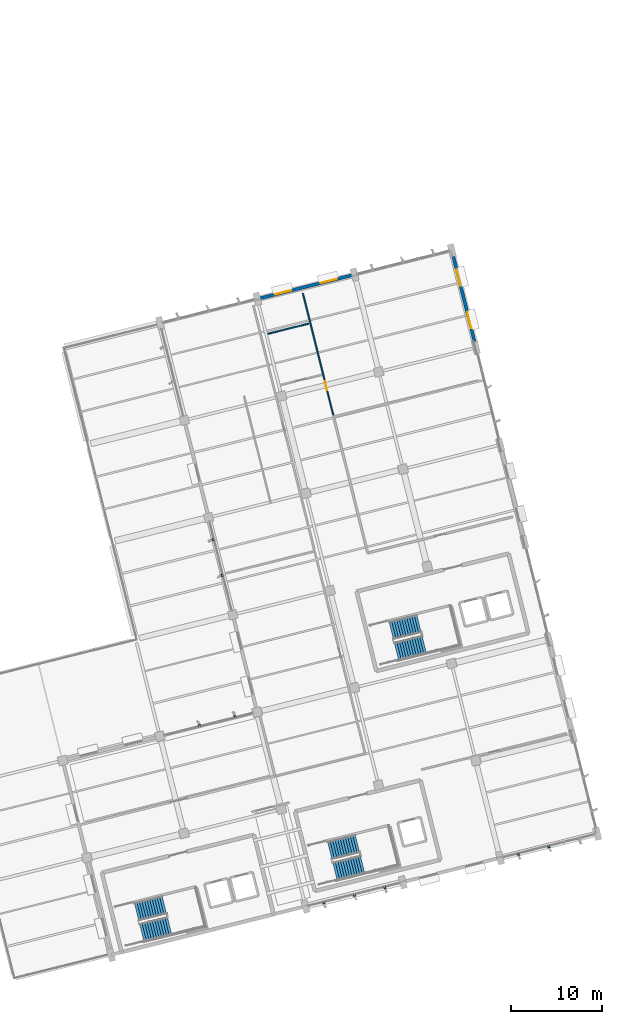
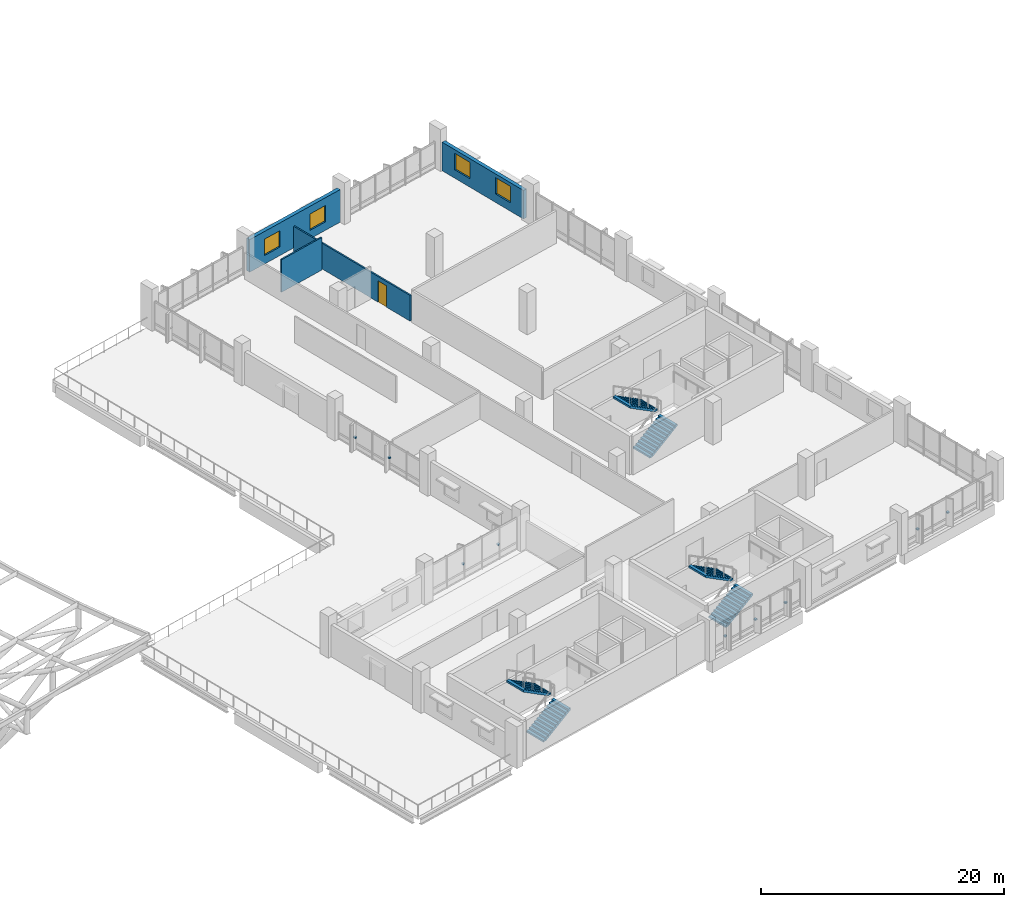
# One storey, part 69 of 75: 9 discrete accessories, 6 stair flights, 4 walls, 4 windows, 1 door, 5 openings, 3 elements without a shape of their own.
"""IFC4 building model written with IfcOpenShell, lengths in metres."""

import ifcopenshell
import ifcopenshell.guid

model = None  # the IFC model being written
_history = None  # IfcOwnerHistory: only IFC2X3 demands one
_inside = {}  # id of a spatial element -> (the spatial element, [elements in it])
_under = {}  # id of a project, library or spatial element -> (it, [spatial elements below it])
_declared = {}  # id of a project -> (the project, [libraries it declares])
_typed = {}  # id of a type object -> (the type object, [elements of that type])
_made_of = {}  # id of a material, layer set ... -> (it, [elements and type objects made of it])


def new_model(schema):
    """Start an empty IFC model of exactly this schema.

    Asked for "IFC4X3", IfcOpenShell would pick the latest addendum, in which some entities
    have other attributes; the version numbers below select the first issue.
    IFC2X3 requires an IfcOwnerHistory on every rooted entity: one is made here for all.
    """
    global model, _history
    if schema == "IFC4X3":
        model = ifcopenshell.file(schema_version=(4, 3, 0, 0))
    else:
        model = ifcopenshell.file(schema=schema)
    _inside.clear()
    _under.clear()
    _declared.clear()
    _typed.clear()
    _made_of.clear()
    _history = None
    if model.schema == "IFC2X3":
        org = make("IfcOrganization", Name="unknown")
        user = make(
            "IfcPersonAndOrganization",
            ThePerson=make("IfcPerson", FamilyName="unknown"),
            TheOrganization=org,
        )
        app = make(
            "IfcApplication",
            ApplicationDeveloper=org,
            Version="unknown",
            ApplicationFullName="unknown",
            ApplicationIdentifier="unknown",
        )
        _history = make(
            "IfcOwnerHistory",
            OwningUser=user,
            OwningApplication=app,
            ChangeAction="ADDED",
            CreationDate=0,
        )
    return model


def make(cls, **values):
    """One entity of the class cls with the attributes given. An attribute that is None is left unset."""
    return model.create_entity(
        cls, **{name: value for name, value in values.items() if value is not None}
    )


def rooted(cls, **values):
    """An entity with a GlobalId (a new one), such as an element, a storey or a relation."""
    return make(cls, GlobalId=ifcopenshell.guid.new(), OwnerHistory=_history, **values)


def si_unit(unit_type, name, prefix=None):
    """IfcSIUnit, for example si_unit("LENGTHUNIT", "METRE", prefix="MILLI")."""
    return make("IfcSIUnit", UnitType=unit_type, Prefix=prefix, Name=name)


def assignment(units):
    """IfcUnitAssignment: the units of a project."""
    return None if units is None else make("IfcUnitAssignment", Units=units)


def point(xyz):
    """IfcCartesianPoint."""
    return None if xyz is None else make("IfcCartesianPoint", Coordinates=xyz)


def direction(xyz):
    """IfcDirection."""
    return None if xyz is None else make("IfcDirection", DirectionRatios=xyz)


def frame(location, z_axis=None, x_axis=None):
    """IfcAxis2Placement3D, a coordinate frame: its origin and axes. An axis left out is left unset."""
    return make(
        "IfcAxis2Placement3D",
        Location=point(location),
        Axis=direction(z_axis),
        RefDirection=direction(x_axis),
    )


def frame_2d(location, x_axis=None):
    """IfcAxis2Placement2D, a coordinate frame in the plane: its origin and x axis."""
    return make(
        "IfcAxis2Placement2D", Location=point(location), RefDirection=direction(x_axis)
    )


def origin():
    """The frame at (0, 0, 0) with its axes left unset."""
    return frame((0.0, 0.0, 0.0))


def origin_2d():
    """The frame at (0, 0) in the plane with its x axis left unset."""
    return frame_2d((0.0, 0.0))


def place(relative_to, where):
    """IfcLocalPlacement: puts the frame where relative to a parent placement (None: the world)."""
    return make(
        "IfcLocalPlacement", PlacementRelTo=relative_to, RelativePlacement=where
    )


def context(
    kind, dimensions, precision=None, world=None, true_north=None, identifier=None
):
    """IfcGeometricRepresentationContext, for example the 3D "Model" context."""
    return make(
        "IfcGeometricRepresentationContext",
        ContextIdentifier=identifier,
        ContextType=kind,
        CoordinateSpaceDimension=dimensions,
        Precision=precision,
        WorldCoordinateSystem=world,
        TrueNorth=true_north,
    )


def subcontext(parent, identifier, kind, view, scale=None):
    """IfcGeometricRepresentationSubContext, for example "Body" below "Model"."""
    return make(
        "IfcGeometricRepresentationSubContext",
        ContextIdentifier=identifier,
        ContextType=kind,
        ParentContext=parent,
        TargetScale=scale,
        TargetView=view,
    )


def project(units=None, contexts=None):
    """IfcProject with its units and contexts."""
    return rooted(
        "IfcProject",
        Name="project",
        RepresentationContexts=contexts,
        UnitsInContext=assignment(units),
    )


def spatial(cls, under=None, at=None, **own):
    """A site, building, storey or space (cls), placed at a placement, below another one or the project."""
    s = rooted(cls, ObjectPlacement=at, **own)
    if under is not None:
        _under.setdefault(under.id(), (under, []))[1].append(s)
    return s


def polyline(points):
    """IfcPolyline through the points."""
    return make("IfcPolyline", Points=[point(p) for p in points])


def profile(cls, at=None, kind="AREA", **sizes):
    """A parametric profile (cls). Its sizes go by their IFC names, for example OverallWidth=200.0."""
    return make(cls, ProfileType=kind, Position=at, **sizes)


def rectangle(**sizes):
    """IfcRectangleProfileDef."""
    return profile("IfcRectangleProfileDef", **sizes)


def outline(outer, holes=None, kind="AREA"):
    """IfcArbitraryClosedProfileDef: a profile drawn as a closed curve; with holes, ...WithVoids."""
    if holes is None:
        return make("IfcArbitraryClosedProfileDef", ProfileType=kind, OuterCurve=outer)
    return make(
        "IfcArbitraryProfileDefWithVoids",
        ProfileType=kind,
        OuterCurve=outer,
        InnerCurves=holes,
    )


def extrude(swept, where, along, depth):
    """IfcExtrudedAreaSolid: the profile swept, set in the frame where, extruded along a direction by depth."""
    return make(
        "IfcExtrudedAreaSolid",
        SweptArea=swept,
        Position=where,
        ExtrudedDirection=direction(along),
        Depth=depth,
    )


def shape(context_of_items, identifier, shape_type, items):
    """IfcShapeRepresentation: the items that make up one representation, for example the "Body"."""
    return make(
        "IfcShapeRepresentation",
        ContextOfItems=context_of_items,
        RepresentationIdentifier=identifier,
        RepresentationType=shape_type,
        Items=items,
    )


def material(Name=None, Category=None):
    """IfcMaterial."""
    return make("IfcMaterial", Name=Name, Category=Category)


def layer(
    of_material, thickness, ventilated=None, Name=None, Category=None, Priority=None
):
    """IfcMaterialLayer: one layer of a wall or slab, of a material (None: an air gap)."""
    return make(
        "IfcMaterialLayer",
        Material=of_material,
        LayerThickness=thickness,
        IsVentilated=ventilated,
        Name=Name,
        Category=Category,
        Priority=Priority,
    )


def layer_set(layers, Name=None):
    """IfcMaterialLayerSet."""
    return make("IfcMaterialLayerSet", MaterialLayers=layers, LayerSetName=Name)


def made_of(thing, what):
    """Note that an element or type object is made of a material, layer set ...; save() writes the relation."""
    if what is not None:
        _made_of.setdefault(what.id(), (what, []))[1].append(thing)
    return thing


def type_object(cls, material=None, **own):
    """A type object (cls), such as IfcWallType, which elements share."""
    return made_of(rooted(cls, **own), material)


def element(
    cls,
    number,
    at=None,
    inside=None,
    cuts=None,
    type_object=None,
    material=None,
    context=None,
    identifier="Body",
    shape_type=None,
    held_by="IfcProductDefinitionShape",
    body=None,
    shapes=None,
    **own,
):
    """One element of the class cls, such as IfcWall. Its Tag is "e" and its number.

    at: its placement. inside: the storey or other place that contains it. cuts: it is an
    opening in that element (IfcRelVoidsElement). A single representation is given by context,
    identifier, shape_type and body (its items); several are given by shapes. held_by: the class
    of the entity that holds the representations. save() writes the other relations.
    """
    e = rooted(cls, Tag="e%d" % number, ObjectPlacement=at, **own)
    if body is not None:
        shapes = [shape(context, identifier, shape_type, body)]
    if shapes is not None:
        e.Representation = make(held_by, Representations=shapes)
    if inside is not None:
        _inside.setdefault(inside.id(), (inside, []))[1].append(e)
    if cuts is not None:
        rooted(
            "IfcRelVoidsElement", RelatingBuildingElement=cuts, RelatedOpeningElement=e
        )
    if type_object is not None:
        _typed.setdefault(type_object.id(), (type_object, []))[1].append(e)
    return made_of(e, material)


def fill(opening, filler):
    """IfcRelFillsElement: the door or window that sits in an opening."""
    return rooted(
        "IfcRelFillsElement",
        RelatingOpeningElement=opening,
        RelatedBuildingElement=filler,
    )


def aggregate(whole, parts):
    """IfcRelAggregates: a whole, such as a stair, and the parts it consists of."""
    return rooted("IfcRelAggregates", RelatingObject=whole, RelatedObjects=parts)


def save(model, path):
    """Write the relations noted so far, then the file.

    IfcRelAggregates (storeys below a building ...), IfcRelContainedInSpatialStructure (elements
    in a storey), IfcRelDefinesByType, IfcRelAssociatesMaterial and IfcRelDeclares: one each for
    every whole, place, type object, material and project.
    """
    for whole, parts in _under.values():
        aggregate(whole, parts)
    for where, things in _inside.values():
        rooted(
            "IfcRelContainedInSpatialStructure",
            RelatedElements=things,
            RelatingStructure=where,
        )
    for kind, things in _typed.values():
        rooted("IfcRelDefinesByType", RelatedObjects=things, RelatingType=kind)
    for what, things in _made_of.values():
        rooted("IfcRelAssociatesMaterial", RelatedObjects=things, RelatingMaterial=what)
    for by, libraries in _declared.values():
        rooted("IfcRelDeclares", RelatingContext=by, RelatedDefinitions=libraries)
    model.write(path)


model = new_model("IFC4")

# Units and contexts
model_context = context("Model", 3, precision=1e-05, world=origin(), true_north=direction((0.0, 1.0)))
body_context = subcontext(model_context, "Body", "Model", "MODEL_VIEW")
ifc_project = project(units=[si_unit("LENGTHUNIT", "METRE"), si_unit("AREAUNIT", "SQUARE_METRE"), si_unit("VOLUMEUNIT", "CUBIC_METRE"), si_unit("PLANEANGLEUNIT", "RADIAN"), si_unit("MASSUNIT", "GRAM", prefix="KILO")], contexts=[model_context])

# Site, building, storey
site_placement = place(None, origin())
site = spatial("IfcSite", under=ifc_project, at=site_placement, CompositionType="ELEMENT")
building_placement = place(site_placement, origin())
building = spatial("IfcBuilding", under=site, at=building_placement, Name="Khorjan Park Terminus", CompositionType="ELEMENT")
storey_placement = place(building_placement, frame((0.0, 0.0, 16.2)))
storey = spatial("IfcBuildingStorey", under=building, at=storey_placement, Name="L03", CompositionType="ELEMENT", Elevation=16.2)

# Wall, openings, windows
ifc_material_1 = material(Name="Pigmented Precast GRC & Concrete C40/50", Category="concrete")
ifc_layer_1 = layer(ifc_material_1, 0.35)
ifc_layer_set_1 = layer_set([ifc_layer_1], Name="Pigmented Precast GRC & Concrete C40/50")
wall_type_1 = type_object("IfcWallType", Name="EW-35", PredefinedType="STANDARD", material=ifc_layer_set_1)
wall_1_placement = place(storey_placement, frame((216.573, 71.9782, 0.0), z_axis=(0.0, 0.0, 1.0), x_axis=(-0.241919949636, 0.970296211457, 0.0)))
wall_1 = element("IfcWall", 1, at=wall_1_placement, inside=storey, type_object=wall_type_1, Name="External pigmented-GRC insulated wall EW-35 (EW-V5-E-L03-B06)", PredefinedType="STANDARD", context=body_context, shape_type="SweptSolid", body=[
    extrude(rectangle(XDim=9.6697, YDim=0.35, at=frame_2d((4.8349, 0.0))), origin(), (0.0, 0.0, 1.0), 2.865),
])
opening_1_placement = place(wall_1_placement, frame((1.5174, 0.0, 0.85)))
opening_1 = element("IfcOpeningElement", 2, at=opening_1_placement, cuts=wall_1, Name="Opening WN-18", PredefinedType="OPENING", context=body_context, shape_type="SweptSolid", body=[
    extrude(rectangle(XDim=1.8, YDim=1.65, at=frame_2d((0.9, 0.825))), frame((0.0, 0.185, 0.0), z_axis=(0.0, -1.0, 0.0), x_axis=(1.0, 0.0, 0.0)), (0.0, 0.0, 1.0), 0.37),
])
opening_2_placement = place(wall_1_placement, frame((6.3523, 0.0, 0.85)))
opening_2 = element("IfcOpeningElement", 3, at=opening_2_placement, cuts=wall_1, Name="Opening WN-18", PredefinedType="OPENING", context=body_context, shape_type="SweptSolid", body=[
    extrude(rectangle(XDim=1.8, YDim=1.65, at=frame_2d((0.9, 0.825))), frame((0.0, 0.185, 0.0), z_axis=(0.0, -1.0, 0.0), x_axis=(1.0, 0.0, 0.0)), (0.0, 0.0, 1.0), 0.37),
])
ifc_material_2 = material(Name="Anodized Bronze Aluminium & Low-E Glass", Category="aluminium")
window_type = type_object("IfcWindowType", Name="WN-18", PartitioningType="SINGLE_PANEL", PredefinedType="WINDOW", material=ifc_material_2)
window_1_placement = place(opening_1_placement, origin())
window_1 = element("IfcWindow", 4, at=window_1_placement, inside=storey, type_object=window_type, Name="Solar-control exterior window WN-18 (WN-EW-V5-E-L03-B06-1)", OverallHeight=1.65, OverallWidth=1.8, PartitioningType="SINGLE_PANEL", PredefinedType="WINDOW", context=body_context, shape_type="SweptSolid", body=[
    extrude(rectangle(XDim=1.8, YDim=1.65, at=frame_2d((0.9, 0.825))), frame((0.0, 0.03, 0.0), z_axis=(0.0, -1.0, 0.0), x_axis=(1.0, 0.0, 0.0)), (0.0, 0.0, 1.0), 0.06),
])
fill(opening_1, window_1)
window_2_placement = place(opening_2_placement, origin())
window_2 = element("IfcWindow", 5, at=window_2_placement, inside=storey, type_object=window_type, Name="Solar-control exterior window WN-18 (WN-EW-V5-E-L03-B06-2)", OverallHeight=1.65, OverallWidth=1.8, PartitioningType="SINGLE_PANEL", PredefinedType="WINDOW", context=body_context, shape_type="SweptSolid", body=[
    extrude(rectangle(XDim=1.8, YDim=1.65, at=frame_2d((0.9, 0.825))), frame((0.0, 0.03, 0.0), z_axis=(0.0, -1.0, 0.0), x_axis=(1.0, 0.0, 0.0)), (0.0, 0.0, 1.0), 0.06),
])
fill(opening_2, window_2)

wall_2_placement = place(storey_placement, frame((203.0933, 79.2689, 0.0), z_axis=(0.0, 0.0, 1.0), x_axis=(-0.970297165187, -0.241916124371, 0.0)))
wall_2 = element("IfcWall", 6, at=wall_2_placement, inside=storey, type_object=wall_type_1, Name="External pigmented-GRC insulated wall EW-35 (EW-V5-N-L03-B02)", PredefinedType="STANDARD", context=body_context, shape_type="SweptSolid", body=[
    extrude(rectangle(XDim=10.3697, YDim=0.35, at=frame_2d((5.1848, 0.0))), origin(), (0.0, 0.0, 1.0), 3.275),
])
opening_3_placement = place(wall_2_placement, frame((1.6924, 0.0, 0.85)))
opening_3 = element("IfcOpeningElement", 7, at=opening_3_placement, cuts=wall_2, Name="Opening WN-18", PredefinedType="OPENING", context=body_context, shape_type="SweptSolid", body=[
    extrude(rectangle(XDim=1.8, YDim=1.65, at=frame_2d((0.9, 0.825))), frame((0.0, 0.185, 0.0), z_axis=(0.0, -1.0, 0.0), x_axis=(1.0, 0.0, 0.0)), (0.0, 0.0, 1.0), 0.37),
])
opening_4_placement = place(wall_2_placement, frame((6.8773, 0.0, 0.85)))
opening_4 = element("IfcOpeningElement", 8, at=opening_4_placement, cuts=wall_2, Name="Opening WN-18", PredefinedType="OPENING", context=body_context, shape_type="SweptSolid", body=[
    extrude(rectangle(XDim=1.8, YDim=1.65, at=frame_2d((0.9, 0.825))), frame((0.0, 0.185, 0.0), z_axis=(0.0, -1.0, 0.0), x_axis=(1.0, 0.0, 0.0)), (0.0, 0.0, 1.0), 0.37),
])
window_3_placement = place(opening_3_placement, origin())
window_3 = element("IfcWindow", 9, at=window_3_placement, inside=storey, type_object=window_type, Name="Solar-control exterior window WN-18 (WN-EW-V5-N-L03-B02-1)", OverallHeight=1.65, OverallWidth=1.8, PartitioningType="SINGLE_PANEL", PredefinedType="WINDOW", context=body_context, shape_type="SweptSolid", body=[
    extrude(rectangle(XDim=1.8, YDim=1.65, at=frame_2d((0.9, 0.825))), frame((0.0, 0.03, 0.0), z_axis=(0.0, -1.0, 0.0), x_axis=(1.0, 0.0, 0.0)), (0.0, 0.0, 1.0), 0.06),
])
fill(opening_3, window_3)
window_4_placement = place(opening_4_placement, origin())
window_4 = element("IfcWindow", 10, at=window_4_placement, inside=storey, type_object=window_type, Name="Solar-control exterior window WN-18 (WN-EW-V5-N-L03-B02-2)", OverallHeight=1.65, OverallWidth=1.8, PartitioningType="SINGLE_PANEL", PredefinedType="WINDOW", context=body_context, shape_type="SweptSolid", body=[
    extrude(rectangle(XDim=1.8, YDim=1.65, at=frame_2d((0.9, 0.825))), frame((0.0, 0.03, 0.0), z_axis=(0.0, -1.0, 0.0), x_axis=(1.0, 0.0, 0.0)), (0.0, 0.0, 1.0), 0.06),
])
fill(opening_4, window_4)

# Wall, opening, door
ifc_material_3 = material(Name="Moisture-Resistant Sanitary Partition")
ifc_layer_2 = layer(ifc_material_3, 0.14)
ifc_layer_set_2 = layer_set([ifc_layer_2], Name="Moisture-Resistant Sanitary Partition")
wall_type_2 = type_object("IfcWallType", Name="PT-14", PredefinedType="PARTITIONING", material=ifc_layer_set_2)
wall_3_placement = place(storey_placement, frame((201.0613, 63.9214, 0.0), z_axis=(0.0, 0.0, 1.0), x_axis=(-0.241920061032, 0.970296183683, 0.0)))
wall_3 = element("IfcWall", 11, at=wall_3_placement, inside=storey, type_object=wall_type_2, Name="Interior acoustic partition PT-14 (L03-SWC3)", PredefinedType="PARTITIONING", context=body_context, shape_type="SweptSolid", body=[
    extrude(rectangle(XDim=13.8, YDim=0.14, at=frame_2d((6.9, 0.0))), origin(), (0.0, 0.0, 1.0), 2.585),
])
opening_5_placement = place(wall_3_placement, frame((2.816, 0.0, 0.0)))
opening_5 = element("IfcOpeningElement", 12, at=opening_5_placement, cuts=wall_3, Name="Opening ID-10", PredefinedType="OPENING", context=body_context, shape_type="SweptSolid", body=[
    extrude(rectangle(XDim=1.0, YDim=2.15, at=frame_2d((0.5, 1.075))), frame((0.0, 0.08, 0.0), z_axis=(0.0, -1.0, 0.0), x_axis=(1.0, 0.0, 0.0)), (0.0, 0.0, 1.0), 0.16),
])
ifc_material_4 = material(Name="Acoustic Fire-Rated Single Door")
door_type = type_object("IfcDoorType", Name="ID-10", OperationType="NOTDEFINED", PredefinedType="DOOR", material=ifc_material_4)
door_placement = place(opening_5_placement, origin())
door = element("IfcDoor", 13, at=door_placement, inside=storey, type_object=door_type, Name="Interior door ID-10 (L03-SWC3)", OperationType="SINGLE_SWING_RIGHT", OverallHeight=2.15, OverallWidth=1.0, PredefinedType="DOOR", context=body_context, shape_type="SweptSolid", body=[
    extrude(rectangle(XDim=1.0, YDim=2.15, at=frame_2d((0.5, 1.075))), frame((0.0, 0.025, 0.0), z_axis=(0.0, -1.0, 0.0), x_axis=(1.0, 0.0, 0.0)), (0.0, 0.0, 1.0), 0.05),
])
fill(opening_5, door)

# Wall
wall_4_placement = place(storey_placement, frame((193.8879, 72.8513, 0.0), z_axis=(0.0, 0.0, 1.0), x_axis=(0.970298308701, 0.241911537824, 0.0)))
element("IfcWall", 14, at=wall_4_placement, inside=storey, type_object=wall_type_2, Name="Interior acoustic partition PT-14 (L03-AWC3)", PredefinedType="PARTITIONING", context=body_context, shape_type="SweptSolid", body=[
    extrude(rectangle(XDim=4.6, YDim=0.14, at=frame_2d((2.3, 0.0))), origin(), (0.0, 0.0, 1.0), 3.275),
])

# Stair, stair flights
ifc_material_5 = material(Name="Concrete C40/50", Category="concrete")
stair_type = type_object("IfcStairType", Name="STR-CORE-200", PredefinedType="HALF_TURN_STAIR", material=ifc_material_5)
stair_1_placement = place(storey_placement, origin())
stair_1 = element("IfcStair", 15, at=stair_1_placement, inside=storey, type_object=stair_type, Name="L03 Operations West Firefighting Core exit stair ST-03", PredefinedType="HALF_TURN_STAIR")
stair_flight_type = type_object("IfcStairFlightType", Name="FLT-STC-20", PredefinedType="STRAIGHT", material=ifc_material_5)
stair_flight_1_placement = place(storey_placement, frame((180.0436, 7.0989, 0.0), z_axis=(0.0, 0.0, 1.0), x_axis=(0.970295726276, 0.2419218956, 0.0)))
stair_flight_1 = element("IfcStairFlight", 16, at=stair_flight_1_placement, type_object=stair_flight_type, Name="ST-03 flight 1", NumberOfRisers=12, NumberOfTreads=11, PredefinedType="STRAIGHT", RiserHeight=0.175, TreadLength=0.285, context=body_context, shape_type="SweptSolid", body=[
    extrude(outline(polyline([(0.0, 0.0), (0.0, 0.175), (0.285, 0.175), (0.285, 0.35), (0.57, 0.35), (0.57, 0.525), (0.855, 0.525), (0.855, 0.7), (1.14, 0.7), (1.14, 0.875), (1.425, 0.875), (1.425, 1.05), (1.71, 1.05), (1.71, 1.225), (1.995, 1.225), (1.995, 1.4), (2.28, 1.4), (2.28, 1.575), (2.565, 1.575), (2.565, 1.75), (2.85, 1.75), (2.85, 1.925), (3.135, 1.925), (3.135, 2.1), (3.135, 1.7372), (0.3058, 0.0), (0.0, 0.0)])), frame((0.0, 1.0, 0.0), z_axis=(0.0, -1.0, 0.0), x_axis=(1.0, 0.0, 0.0)), (0.0, 0.0, 1.0), 2.0),
])
stair_flight_2_placement = place(storey_placement, frame((182.5145, 10.1472, 2.1), z_axis=(0.0, 0.0, 1.0), x_axis=(-0.970295726276, -0.2419218956, 0.0)))
stair_flight_2 = element("IfcStairFlight", 17, at=stair_flight_2_placement, type_object=stair_flight_type, Name="ST-03 flight 2", NumberOfRisers=12, NumberOfTreads=11, PredefinedType="STRAIGHT", RiserHeight=0.175, TreadLength=0.285, context=body_context, shape_type="SweptSolid", body=[
    extrude(outline(polyline([(0.0, 0.0), (0.0, 0.175), (0.285, 0.175), (0.285, 0.35), (0.57, 0.35), (0.57, 0.525), (0.855, 0.525), (0.855, 0.7), (1.14, 0.7), (1.14, 0.875), (1.425, 0.875), (1.425, 1.05), (1.71, 1.05), (1.71, 1.225), (1.995, 1.225), (1.995, 1.4), (2.28, 1.4), (2.28, 1.575), (2.565, 1.575), (2.565, 1.75), (2.85, 1.75), (2.85, 1.925), (3.135, 1.925), (3.135, 2.1), (3.135, 1.7372), (0.3058, 0.0), (0.0, 0.0)])), frame((0.0, 1.0, 0.0), z_axis=(0.0, -1.0, 0.0), x_axis=(1.0, 0.0, 0.0)), (0.0, 0.0, 1.0), 2.0),
])
aggregate(stair_1, [stair_flight_1, stair_flight_2])

stair_2_placement = place(storey_placement, origin())
stair_2 = element("IfcStair", 18, at=stair_2_placement, inside=storey, type_object=stair_type, Name="L03 Operations North-East Firefighting Core exit stair ST-04", PredefinedType="HALF_TURN_STAIR")
stair_flight_3_placement = place(storey_placement, frame((208.0033, 37.9803, 0.0), z_axis=(0.0, 0.0, 1.0), x_axis=(0.970295726276, 0.2419218956, 0.0)))
stair_flight_3 = element("IfcStairFlight", 19, at=stair_flight_3_placement, type_object=stair_flight_type, Name="ST-04 flight 1", NumberOfRisers=12, NumberOfTreads=11, PredefinedType="STRAIGHT", RiserHeight=0.175, TreadLength=0.285, context=body_context, shape_type="SweptSolid", body=[
    extrude(outline(polyline([(0.0, 0.0), (0.0, 0.175), (0.285, 0.175), (0.285, 0.35), (0.57, 0.35), (0.57, 0.525), (0.855, 0.525), (0.855, 0.7), (1.14, 0.7), (1.14, 0.875), (1.425, 0.875), (1.425, 1.05), (1.71, 1.05), (1.71, 1.225), (1.995, 1.225), (1.995, 1.4), (2.28, 1.4), (2.28, 1.575), (2.565, 1.575), (2.565, 1.75), (2.85, 1.75), (2.85, 1.925), (3.135, 1.925), (3.135, 2.1), (3.135, 1.7372), (0.3058, 0.0), (0.0, 0.0)])), frame((0.0, 1.0, 0.0), z_axis=(0.0, -1.0, 0.0), x_axis=(1.0, 0.0, 0.0)), (0.0, 0.0, 1.0), 2.0),
])
stair_flight_4_placement = place(storey_placement, frame((210.4742, 41.0286, 2.1), z_axis=(0.0, 0.0, 1.0), x_axis=(-0.970295726276, -0.2419218956, 0.0)))
stair_flight_4 = element("IfcStairFlight", 20, at=stair_flight_4_placement, type_object=stair_flight_type, Name="ST-04 flight 2", NumberOfRisers=12, NumberOfTreads=11, PredefinedType="STRAIGHT", RiserHeight=0.175, TreadLength=0.285, context=body_context, shape_type="SweptSolid", body=[
    extrude(outline(polyline([(0.0, 0.0), (0.0, 0.175), (0.285, 0.175), (0.285, 0.35), (0.57, 0.35), (0.57, 0.525), (0.855, 0.525), (0.855, 0.7), (1.14, 0.7), (1.14, 0.875), (1.425, 0.875), (1.425, 1.05), (1.71, 1.05), (1.71, 1.225), (1.995, 1.225), (1.995, 1.4), (2.28, 1.4), (2.28, 1.575), (2.565, 1.575), (2.565, 1.75), (2.85, 1.75), (2.85, 1.925), (3.135, 1.925), (3.135, 2.1), (3.135, 1.7372), (0.3058, 0.0), (0.0, 0.0)])), frame((0.0, 1.0, 0.0), z_axis=(0.0, -1.0, 0.0), x_axis=(1.0, 0.0, 0.0)), (0.0, 0.0, 1.0), 2.0),
])
aggregate(stair_2, [stair_flight_3, stair_flight_4])

stair_3_placement = place(storey_placement, origin())
stair_3 = element("IfcStair", 21, at=stair_3_placement, inside=storey, type_object=stair_type, Name="L03 Operations Central Command Core exit stair ST-05", PredefinedType="HALF_TURN_STAIR")
stair_flight_5_placement = place(storey_placement, frame((201.2455, 13.828, 0.0), z_axis=(0.0, 0.0, 1.0), x_axis=(0.970295726276, 0.2419218956, 0.0)))
stair_flight_5 = element("IfcStairFlight", 22, at=stair_flight_5_placement, type_object=stair_flight_type, Name="ST-05 flight 1", NumberOfRisers=12, NumberOfTreads=11, PredefinedType="STRAIGHT", RiserHeight=0.175, TreadLength=0.285, context=body_context, shape_type="SweptSolid", body=[
    extrude(outline(polyline([(0.0, 0.0), (0.0, 0.175), (0.285, 0.175), (0.285, 0.35), (0.57, 0.35), (0.57, 0.525), (0.855, 0.525), (0.855, 0.7), (1.14, 0.7), (1.14, 0.875), (1.425, 0.875), (1.425, 1.05), (1.71, 1.05), (1.71, 1.225), (1.995, 1.225), (1.995, 1.4), (2.28, 1.4), (2.28, 1.575), (2.565, 1.575), (2.565, 1.75), (2.85, 1.75), (2.85, 1.925), (3.135, 1.925), (3.135, 2.1), (3.135, 1.7372), (0.3058, 0.0), (0.0, 0.0)])), frame((0.0, 1.0, 0.0), z_axis=(0.0, -1.0, 0.0), x_axis=(1.0, 0.0, 0.0)), (0.0, 0.0, 1.0), 2.0),
])
stair_flight_6_placement = place(storey_placement, frame((203.7164, 16.8763, 2.1), z_axis=(0.0, 0.0, 1.0), x_axis=(-0.970295726276, -0.2419218956, 0.0)))
stair_flight_6 = element("IfcStairFlight", 23, at=stair_flight_6_placement, type_object=stair_flight_type, Name="ST-05 flight 2", NumberOfRisers=12, NumberOfTreads=11, PredefinedType="STRAIGHT", RiserHeight=0.175, TreadLength=0.285, context=body_context, shape_type="SweptSolid", body=[
    extrude(outline(polyline([(0.0, 0.0), (0.0, 0.175), (0.285, 0.175), (0.285, 0.35), (0.57, 0.35), (0.57, 0.525), (0.855, 0.525), (0.855, 0.7), (1.14, 0.7), (1.14, 0.875), (1.425, 0.875), (1.425, 1.05), (1.71, 1.05), (1.71, 1.225), (1.995, 1.225), (1.995, 1.4), (2.28, 1.4), (2.28, 1.575), (2.565, 1.575), (2.565, 1.75), (2.85, 1.75), (2.85, 1.925), (3.135, 1.925), (3.135, 2.1), (3.135, 1.7372), (0.3058, 0.0), (0.0, 0.0)])), frame((0.0, 1.0, 0.0), z_axis=(0.0, -1.0, 0.0), x_axis=(1.0, 0.0, 0.0)), (0.0, 0.0, 1.0), 2.0),
])
aggregate(stair_3, [stair_flight_5, stair_flight_6])

# Discrete accessories
ifc_material_6 = material(Name="Steel S355", Category="steel")
discrete_accessory_type = type_object("IfcDiscreteAccessoryType", Name="ACC-BRK-FIN", PredefinedType="BRACKET", material=ifc_material_6)
for number, where, z_axis, x_axis, name in (
    (24, (200.034, 10.3929, 1.1225), (0.0, 0.0, 1.0), (0.970294772494, 0.241925720978, 0.0), "Solar fin structural bracket BK-01 (CW-V5-S-L03-B03-1)"),
    (25, (203.3783, 11.2267, 1.1225), (0.0, 0.0, 1.0), (0.970294772494, 0.241925720978, 0.0), "Solar fin structural bracket BK-01 (CW-V5-S-L03-B03-3)"),
    (26, (206.7226, 12.0606, 1.1225), (0.0, 0.0, 1.0), (0.970294772494, 0.241925720978, 0.0), "Solar fin structural bracket BK-01 (CW-V5-S-L03-B03-5)"),
    (27, (221.3803, 15.7151, 1.1607), (0.0, 0.0, 1.0), (0.970296464407, 0.241918935098, 0.0), "Solar fin structural bracket BK-01 (CW-V5-S-L03-B05-1)"),
    (28, (224.7248, 16.549, 1.1607), (0.0, 0.0, 1.0), (0.970296464407, 0.241918935098, 0.0), "Solar fin structural bracket BK-01 (CW-V5-S-L03-B05-3)"),
    (29, (187.8863, 50.2548, 1.1517), (0.0, 0.0, 1.0), (0.241919922282, -0.970296218277, 0.0), "Solar fin structural bracket BK-01 (CW-V5-NW1-L03-B03-1)"),
    (30, (188.8626, 46.3388, 1.1517), (0.0, 0.0, 1.0), (0.241919922282, -0.970296218277, 0.0), "Solar fin structural bracket BK-01 (CW-V5-NW1-L03-B03-3)"),
    (31, (190.2612, 30.8152, 1.3678), (0.0, 0.0, 1.0), (-0.970296398227, -0.241919200535, 0.0), "Solar fin structural bracket BK-01 (CW-V5-NW2-L03-B01-1)"),
    (32, (186.3646, 29.8437, 1.3678), (0.0, 0.0, 1.0), (-0.970296398227, -0.241919200535, 0.0), "Solar fin structural bracket BK-01 (CW-V5-NW2-L03-B01-3)"),
):
    element("IfcDiscreteAccessory", number, at=place(storey_placement, frame(where, z_axis=z_axis, x_axis=x_axis)), inside=storey, type_object=discrete_accessory_type, Name=name, PredefinedType="BRACKET", context=body_context, shape_type="SweptSolid", body=[
        extrude(rectangle(XDim=0.22, YDim=0.22, at=origin_2d()), origin(), (0.0, 0.0, 1.0), 0.14),
    ])

save(model, "model.ifc")
